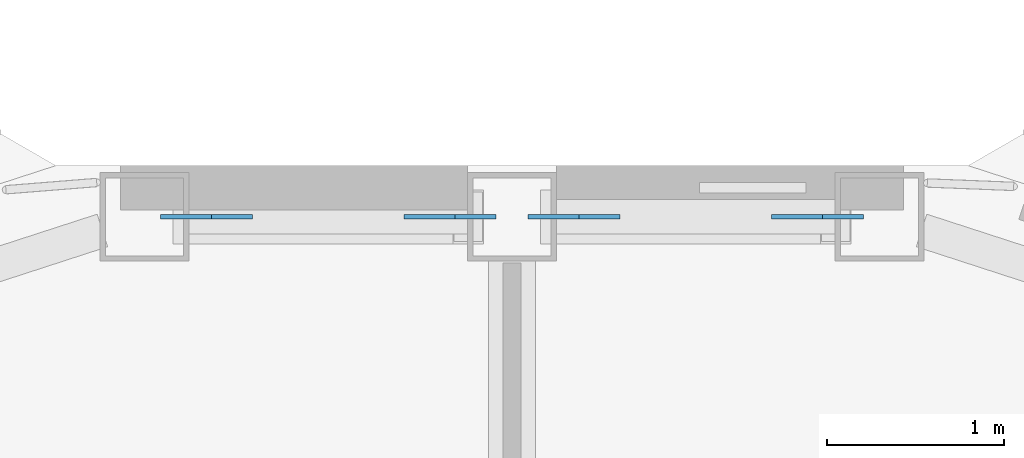
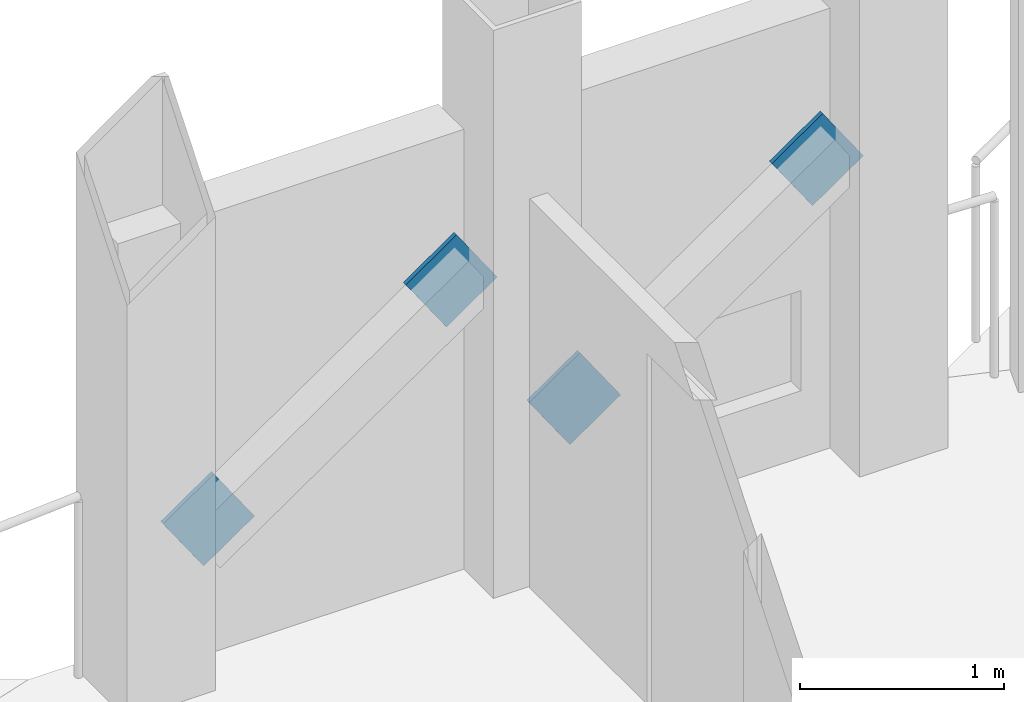
# One storey, part 21 of 26: 4 discrete accessories.
"""IFC4 building model written with IfcOpenShell, lengths in metres."""

from ifc_helpers import new_model, si_unit, direction, frame, origin, origin_2d, place, context, subcontext, project, spatial, rectangle, extrude, material, material_profile, profile_set, type_object, element, save


model = new_model("IFC4")

# Units and contexts
model_context = context("Model", 3, precision=1e-05, world=origin(), true_north=direction((0.0, 1.0)))
body_context = subcontext(model_context, "Body", "Model", "MODEL_VIEW")
ifc_project = project(units=[si_unit("LENGTHUNIT", "METRE"), si_unit("AREAUNIT", "SQUARE_METRE"), si_unit("VOLUMEUNIT", "CUBIC_METRE"), si_unit("PLANEANGLEUNIT", "RADIAN"), si_unit("MASSUNIT", "GRAM", prefix="KILO")], contexts=[model_context])

# Site, building, storey
site_placement = place(None, origin())
site = spatial("IfcSite", under=ifc_project, at=site_placement, CompositionType="ELEMENT")
building_placement = place(site_placement, origin())
building = spatial("IfcBuilding", under=site, at=building_placement, Name="Cormorant Prow Tower", CompositionType="ELEMENT")
storey_placement = place(building_placement, frame((0.0, 0.0, 374.60009765625)))
storey = spatial("IfcBuildingStorey", under=building, at=storey_placement, Name="L84", CompositionType="ELEMENT", Elevation=374.60009765625)

# Discrete accessories
ifc_material = material(Name="Structural steel ASTM A500 Gr C", Category="steel")
ifc_material_profile = material_profile(ifc_material, rectangle(XDim=0.02490234375, YDim=0.405029296875, at=origin_2d()), Name="Gusset plate 25x405")
ifc_profile_set = profile_set([ifc_material_profile], Name="Structural steel ASTM A500 Gr C")
discrete_accessory_type = type_object("IfcDiscreteAccessoryType", Name="Gusset plate 25x405", PredefinedType="BRACKET", material=ifc_profile_set)
for number, where, z_axis, x_axis, name in (
    (1, (0.493408203125, 31.219482421875, 0.941162109375), (-0.822593864641, 0.0, -0.568629346635), (0.0, -1.0, 0.0), "Gusset plate GP3 L84.N00.g0"),
    (2, (1.580322265625, 31.219482421875, 1.692626953125), (0.822593864641, 0.0, 0.568629346635), (0.0, 1.0, 0.0), "Gusset plate GP3 L84.N00.g1"),
    (3, (-1.580322265625, 31.219482421875, 0.941162109375), (-0.822593864641, 0.0, -0.568629346635), (0.0, -1.0, 0.0), "Gusset plate GP3 L84.N01.g0"),
    (4, (-0.493408203125, 31.219482421875, 1.692626953125), (0.822593864641, 0.0, 0.568629346635), (0.0, 1.0, 0.0), "Gusset plate GP3 L84.N01.g1"),
):
    element("IfcDiscreteAccessory", number, at=place(storey_placement, frame(where, z_axis=z_axis, x_axis=x_axis)), inside=storey, type_object=discrete_accessory_type, Name=name, PredefinedType="BRACKET", context=body_context, shape_type="SweptSolid", body=[
        extrude(rectangle(XDim=0.02490234375, YDim=0.405029296875, at=origin_2d()), origin(), (0.0, 0.0, 1.0), 0.349853515625),
    ])

save(model, "model.ifc")
